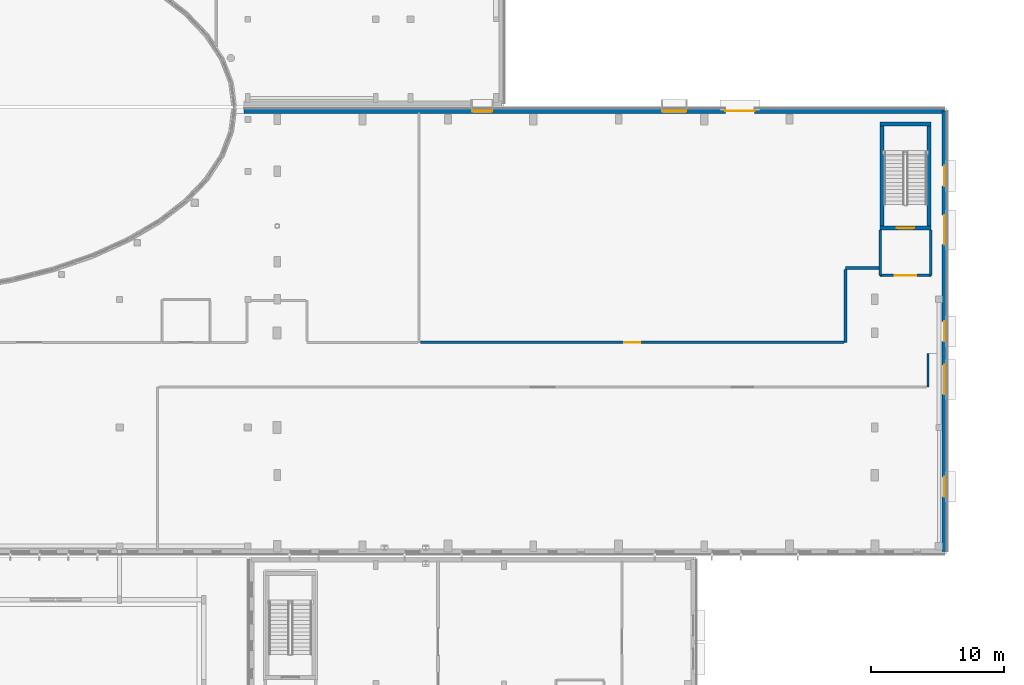
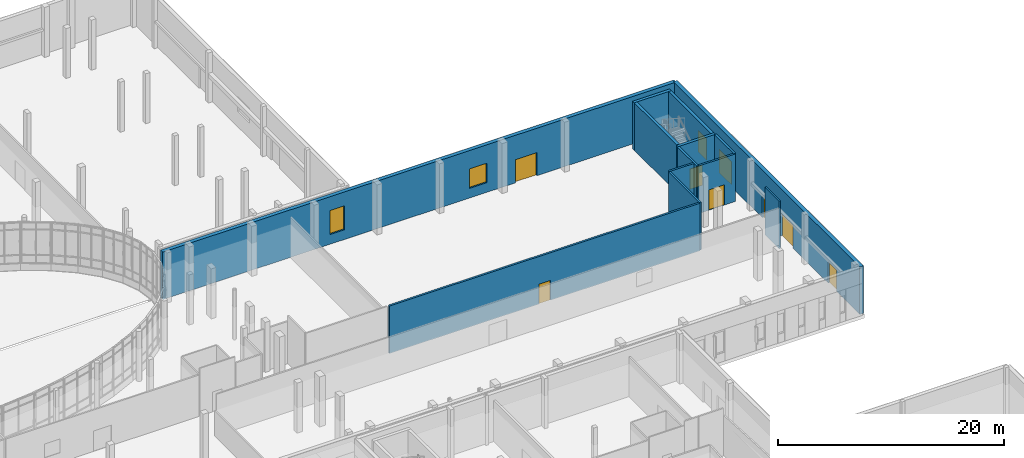
# One storey, part 51 of 84: 13 walls, 9 doors, 2 windows, 11 openings.
"""IFC4 building model written with IfcOpenShell, lengths in metres."""

from ifc_helpers import new_model, si_unit, direction, frame, frame_2d, origin, place, context, subcontext, project, spatial, rectangle, extrude, material, layer, layer_set, type_object, element, fill, save


model = new_model("IFC4")

# Units and contexts
model_context = context("Model", 3, precision=1e-05, world=origin(), true_north=direction((0.0, 1.0)))
body_context = subcontext(model_context, "Body", "Model", "MODEL_VIEW")
ifc_project = project(units=[si_unit("LENGTHUNIT", "METRE"), si_unit("AREAUNIT", "SQUARE_METRE"), si_unit("VOLUMEUNIT", "CUBIC_METRE"), si_unit("PLANEANGLEUNIT", "RADIAN"), si_unit("MASSUNIT", "GRAM", prefix="KILO")], contexts=[model_context])

# Site, building, storey
site_placement = place(None, origin())
site = spatial("IfcSite", under=ifc_project, at=site_placement, CompositionType="ELEMENT")
building_placement = place(site_placement, origin())
building = spatial("IfcBuilding", under=site, at=building_placement, Name="Mzevani Central Library", CompositionType="ELEMENT")
storey_placement = place(building_placement, origin())
storey = spatial("IfcBuildingStorey", under=building, at=storey_placement, Name="L00", CompositionType="ELEMENT", Elevation=0.0)

# Wall
ifc_material_1 = material(Name="Concrete C35/45", Category="concrete")
ifc_layer_1 = layer(ifc_material_1, 0.199951171875, Name="Compartment Wall 200")
ifc_layer_set_1 = layer_set([ifc_layer_1], Name="Concrete C35/45")
wall_type_1 = type_object("IfcWallType", Name="Compartment Wall 200", PredefinedType="STANDARD", material=ifc_layer_set_1)
wall_1_placement = place(storey_placement, frame((159.39990234375, 66.800048828125, 0.0), z_axis=(0.0, 0.0, 1.0), x_axis=(0.0, -1.0, 0.0)))
element("IfcWall", 1, at=wall_1_placement, inside=storey, type_object=wall_type_1, Name="L00 Stair Vestibule C1B Enclosure Wall 1", PredefinedType="STANDARD", context=body_context, shape_type="SweptSolid", body=[
    extrude(rectangle(XDim=3.400146484375, YDim=0.199951171875, at=frame_2d((1.7001953125, 0.0))), origin(), (0.0, 0.0, 1.0), 5.139892578125),
])

# Wall, opening, door
wall_2_placement = place(storey_placement, frame((159.39990234375, 63.39990234375, 0.0), z_axis=(0.0, 0.0, 1.0), x_axis=(1.0, 0.0, 0.0)))
wall_2 = element("IfcWall", 2, at=wall_2_placement, inside=storey, type_object=wall_type_1, Name="L00 Stair Vestibule C1B Enclosure Wall 2", PredefinedType="STANDARD", context=body_context, shape_type="SweptSolid", body=[
    extrude(rectangle(XDim=3.800048828125, YDim=0.199951171875, at=frame_2d((1.89990234375, 0.0))), origin(), (0.0, 0.0, 1.0), 5.139892578125),
])
opening_1_placement = place(wall_2_placement, frame((1.10009765625, 0.0, 0.0)))
opening_1 = element("IfcOpeningElement", 3, at=opening_1_placement, cuts=wall_2, Name="Opening FD-02", PredefinedType="OPENING", context=body_context, shape_type="SweptSolid", body=[
    extrude(rectangle(XDim=1.60009765625, YDim=2.199951171875, at=frame_2d((0.800048828125, 1.10009765625))), frame((0.0, 0.10986328125, 0.0), z_axis=(0.0, -1.0, 0.0), x_axis=(1.0, 0.0, 0.0)), (0.0, 0.0, 1.0), 0.219970703125),
])
ifc_material_2 = material(Name="Fire-rated steel door assembly", Category="steel")
door_type_1 = type_object("IfcDoorType", Name="Fire Lobby Double Door 1600x2200", OperationType="NOTDEFINED", PredefinedType="DOOR", material=ifc_material_2)
door_1_placement = place(opening_1_placement, origin())
door_1 = element("IfcDoor", 4, at=door_1_placement, inside=storey, type_object=door_type_1, Name="L00 Stair Vestibule C1B Smoke-Control Door", OperationType="DOUBLE_DOOR_SINGLE_SWING", OverallHeight=2.199951171875, OverallWidth=1.60009765625, PredefinedType="DOOR", context=body_context, shape_type="SweptSolid", body=[
    extrude(rectangle(XDim=1.60009765625, YDim=2.199951171875, at=frame_2d((0.800048828125, 1.10009765625))), frame((0.0, 0.02490234375, 0.0), z_axis=(0.0, -1.0, 0.0), x_axis=(1.0, 0.0, 0.0)), (0.0, 0.0, 1.0), 0.050048828125),
])
fill(opening_1, door_1)

# Walls
wall_3_placement = place(storey_placement, frame((163.199951171875, 63.39990234375, 0.0), z_axis=(0.0, 0.0, 1.0), x_axis=(0.0, 1.0, 0.0)))
element("IfcWall", 5, at=wall_3_placement, inside=storey, type_object=wall_type_1, Name="L00 Stair Vestibule C1B Enclosure Wall 3", PredefinedType="STANDARD", context=body_context, shape_type="SweptSolid", body=[
    extrude(rectangle(XDim=3.400146484375, YDim=0.199951171875, at=frame_2d((1.7001953125, 0.0))), origin(), (0.0, 0.0, 1.0), 5.139892578125),
])
wall_4_placement = place(storey_placement, frame((159.300048828125, 63.949951171875, 0.0), z_axis=(0.0, 0.0, 1.0), x_axis=(-1.0, 0.0, 0.0)))
element("IfcWall", 6, at=wall_4_placement, inside=storey, type_object=wall_type_1, Name="L00 V1 Partition IW-COMP (90)", PredefinedType="STANDARD", context=body_context, shape_type="SweptSolid", body=[
    extrude(rectangle(XDim=2.5, YDim=0.199951171875, at=frame_2d((1.25, 0.0))), origin(), (0.0, 0.0, 1.0), 5.139892578125),
])
wall_5_placement = place(storey_placement, frame((156.800048828125, 63.85009765625, 0.0), z_axis=(0.0, 0.0, 1.0), x_axis=(0.0, -1.0, 0.0)))
element("IfcWall", 7, at=wall_5_placement, inside=storey, type_object=wall_type_1, Name="L00 V1 Partition IW-COMP (91)", PredefinedType="STANDARD", context=body_context, shape_type="SweptSolid", body=[
    extrude(rectangle(XDim=5.47021484375, YDim=0.199951171875, at=frame_2d((2.735107421875, 0.0))), origin(), (0.0, 0.0, 1.0), 5.139892578125),
])

# Wall, opening, door
wall_6_placement = place(storey_placement, frame((156.699951171875, 58.3798828125, 0.0), z_axis=(0.0, 0.0, 1.0), x_axis=(-1.0, 0.0, 0.0)))
wall_6 = element("IfcWall", 8, at=wall_6_placement, inside=storey, type_object=wall_type_1, Name="L00 V1 Partition IW-COMP (92)", PredefinedType="STANDARD", context=body_context, shape_type="SweptSolid", body=[
    extrude(rectangle(XDim=31.760009765625, YDim=0.199951171875, at=frame_2d((15.8798828125, 0.0))), origin(), (0.0, 0.0, 1.0), 5.139892578125),
])
opening_2_placement = place(wall_6_placement, frame((15.280029296875, 0.0, 0.0)))
opening_2 = element("IfcOpeningElement", 9, at=opening_2_placement, cuts=wall_6, Name="Opening FD-05", PredefinedType="OPENING", context=body_context, shape_type="SweptSolid", body=[
    extrude(rectangle(XDim=1.199951171875, YDim=2.14990234375, at=frame_2d((0.60009765625, 1.074951171875))), frame((0.0, 0.10986328125, 0.0), z_axis=(0.0, -1.0, 0.0), x_axis=(1.0, 0.0, 0.0)), (0.0, 0.0, 1.0), 0.219970703125),
])
door_type_2 = type_object("IfcDoorType", Name="Fire Compartment Door 1200x2150", OperationType="NOTDEFINED", PredefinedType="DOOR", material=ifc_material_2)
door_2_placement = place(opening_2_placement, origin())
door_2 = element("IfcDoor", 10, at=door_2_placement, inside=storey, type_object=door_type_2, Name="L00 Fire Command and Security Control Room Door", OperationType="SINGLE_SWING_LEFT", OverallHeight=2.14990234375, OverallWidth=1.199951171875, PredefinedType="DOOR", context=body_context, shape_type="SweptSolid", body=[
    extrude(rectangle(XDim=1.199951171875, YDim=2.14990234375, at=frame_2d((0.60009765625, 1.074951171875))), frame((0.0, 0.02490234375, 0.0), z_axis=(0.0, -1.0, 0.0), x_axis=(1.0, 0.0, 0.0)), (0.0, 0.0, 1.0), 0.050048828125),
])
fill(opening_2, door_2)

ifc_material_3 = material(Name="Concrete C40/50", Category="concrete")
ifc_layer_2 = layer(ifc_material_3, 0.300048828125, Name="Core Shear Wall 300")
ifc_layer_set_2 = layer_set([ifc_layer_2], Name="Concrete C40/50")
wall_type_2 = type_object("IfcWallType", Name="Core Shear Wall 300", PredefinedType="SHEAR", material=ifc_layer_set_2)
wall_7_placement = place(storey_placement, frame((163.199951171875, 66.949951171875, 0.0), z_axis=(0.0, 0.0, 1.0), x_axis=(-1.0, 0.0, 0.0)))
wall_7 = element("IfcWall", 11, at=wall_7_placement, inside=storey, type_object=wall_type_2, Name="L00 Core C1B Reading Hall East Shear Wall (-y)", PredefinedType="SHEAR", context=body_context, shape_type="SweptSolid", body=[
    extrude(rectangle(XDim=3.800048828125, YDim=0.300048828125, at=frame_2d((1.89990234375, 0.0))), origin(), (0.0, 0.0, 1.0), 5.139892578125),
])
opening_3_placement = place(wall_7_placement, frame((1.25, 0.0, 0.0)))
opening_3 = element("IfcOpeningElement", 12, at=opening_3_placement, cuts=wall_7, Name="Opening FD-01", PredefinedType="OPENING", context=body_context, shape_type="SweptSolid", body=[
    extrude(rectangle(XDim=1.300048828125, YDim=2.199951171875, at=frame_2d((0.64990234375, 1.10009765625))), frame((0.0, 0.16015625, 0.0), z_axis=(0.0, -1.0, 0.0), x_axis=(1.0, 0.0, 0.0)), (0.0, 0.0, 1.0), 0.320068359375),
])
door_type_3 = type_object("IfcDoorType", Name="Fire Stair Door 1300x2200", OperationType="NOTDEFINED", PredefinedType="DOOR", material=ifc_material_2)
door_3_placement = place(opening_3_placement, origin())
door_3 = element("IfcDoor", 13, at=door_3_placement, inside=storey, type_object=door_type_3, Name="L00 ST-02 Protected Exit Stair Door", OperationType="SINGLE_SWING_LEFT", OverallHeight=2.199951171875, OverallWidth=1.300048828125, PredefinedType="DOOR", context=body_context, shape_type="SweptSolid", body=[
    extrude(rectangle(XDim=1.300048828125, YDim=2.199951171875, at=frame_2d((0.64990234375, 1.10009765625))), frame((0.0, 0.02490234375, 0.0), z_axis=(0.0, -1.0, 0.0), x_axis=(1.0, 0.0, 0.0)), (0.0, 0.0, 1.0), 0.050048828125),
])
fill(opening_3, door_3)

# Walls
wall_8_placement = place(storey_placement, frame((159.550048828125, 66.800048828125, 0.0), z_axis=(0.0, 0.0, 1.0), x_axis=(0.0, 1.0, 0.0)))
element("IfcWall", 14, at=wall_8_placement, inside=storey, type_object=wall_type_2, Name="L00 Core C1B Reading Hall East Shear Wall (-x)", PredefinedType="SHEAR", context=body_context, shape_type="SweptSolid", body=[
    extrude(rectangle(XDim=8.099853515625, YDim=0.300048828125, at=frame_2d((4.0498046875, 0.0))), origin(), (0.0, 0.0, 1.0), 5.139892578125),
])
wall_9_placement = place(storey_placement, frame((159.39990234375, 74.75, 0.0), z_axis=(0.0, 0.0, 1.0), x_axis=(1.0, 0.0, 0.0)))
element("IfcWall", 15, at=wall_9_placement, inside=storey, type_object=wall_type_2, Name="L00 Core C1B Reading Hall East Shear Wall (+y)", PredefinedType="SHEAR", context=body_context, shape_type="SweptSolid", body=[
    extrude(rectangle(XDim=3.800048828125, YDim=0.300048828125, at=frame_2d((1.89990234375, 0.0))), origin(), (0.0, 0.0, 1.0), 5.139892578125),
])
wall_10_placement = place(storey_placement, frame((163.050048828125, 74.89990234375, 0.0), z_axis=(0.0, 0.0, 1.0), x_axis=(0.0, -1.0, 0.0)))
element("IfcWall", 16, at=wall_10_placement, inside=storey, type_object=wall_type_2, Name="L00 Core C1B Reading Hall East Shear Wall (+x)", PredefinedType="SHEAR", context=body_context, shape_type="SweptSolid", body=[
    extrude(rectangle(XDim=8.099853515625, YDim=0.300048828125, at=frame_2d((4.0498046875, 0.0))), origin(), (0.0, 0.0, 1.0), 5.139892578125),
])

# Wall, openings, doors
ifc_material_4 = material(Name="Precast concrete C40/50", Category="concrete")
ifc_layer_3 = layer(ifc_material_4, 0.3798828125, Name="Exterior Thermal Concrete Wall 380")
ifc_layer_set_3 = layer_set([ifc_layer_3], Name="Precast concrete C40/50")
wall_type_3 = type_object("IfcWallType", Name="Exterior Thermal Concrete Wall 380", PredefinedType="STANDARD", material=ifc_layer_set_3)
wall_11_placement = place(storey_placement, frame((164.2099609375, 75.7099609375, 0.0), z_axis=(0.0, 0.0, 1.0), x_axis=(0.0, -1.0, 0.0)))
wall_11 = element("IfcWall", 17, at=wall_11_placement, inside=storey, type_object=wall_type_3, Name="L00 V1 Exterior Thermal Wall (1)", PredefinedType="STANDARD", context=body_context, shape_type="SweptSolid", body=[
    extrude(rectangle(XDim=33.02001953125, YDim=0.3798828125, at=frame_2d((16.510009765625, 0.0))), origin(), (0.0, 0.0, 1.0), 5.139892578125),
])
opening_4_placement = place(wall_11_placement, frame((15.760009765625, 0.0, 0.0)))
opening_4 = element("IfcOpeningElement", 18, at=opening_4_placement, cuts=wall_11, Name="Opening ED-01", PredefinedType="OPENING", context=body_context, shape_type="SweptSolid", body=[
    extrude(rectangle(XDim=1.5, YDim=2.300048828125, at=frame_2d((0.75, 1.14990234375))), frame((0.0, 0.199951171875, 0.0), z_axis=(0.0, -1.0, 0.0), x_axis=(1.0, 0.0, 0.0)), (0.0, 0.0, 1.0), 0.39990234375),
])
opening_5_placement = place(wall_11_placement, frame((7.796630859375, 0.0, 0.0)))
opening_5 = element("IfcOpeningElement", 19, at=opening_5_placement, cuts=wall_11, Name="Opening ED-05", PredefinedType="OPENING", context=body_context, shape_type="SweptSolid", body=[
    extrude(rectangle(XDim=2.199951171875, YDim=2.5, at=frame_2d((1.10009765625, 1.25))), frame((0.0, 0.199951171875, 0.0), z_axis=(0.0, -1.0, 0.0), x_axis=(1.0, 0.0, 0.0)), (0.0, 0.0, 1.0), 0.39990234375),
])
opening_6_placement = place(wall_11_placement, frame((19.0234375, 0.0, 0.0)))
opening_6 = element("IfcOpeningElement", 20, at=opening_6_placement, cuts=wall_11, Name="Opening ED-05", PredefinedType="OPENING", context=body_context, shape_type="SweptSolid", body=[
    extrude(rectangle(XDim=2.199951171875, YDim=2.5, at=frame_2d((1.10009765625, 1.25))), frame((0.0, 0.199951171875, 0.0), z_axis=(0.0, -1.0, 0.0), x_axis=(1.0, 0.0, 0.0)), (0.0, 0.0, 1.0), 0.39990234375),
])
opening_7_placement = place(wall_11_placement, frame((27.409912109375, 0.0, 0.0)))
opening_7 = element("IfcOpeningElement", 21, at=opening_7_placement, cuts=wall_11, Name="Opening ED-01", PredefinedType="OPENING", context=body_context, shape_type="SweptSolid", body=[
    extrude(rectangle(XDim=1.5, YDim=2.300048828125, at=frame_2d((0.75, 1.14990234375))), frame((0.0, 0.199951171875, 0.0), z_axis=(0.0, -1.0, 0.0), x_axis=(1.0, 0.0, 0.0)), (0.0, 0.0, 1.0), 0.39990234375),
])
opening_8_placement = place(wall_11_placement, frame((4.110107421875, 0.0, 0.0)))
opening_8 = element("IfcOpeningElement", 22, at=opening_8_placement, cuts=wall_11, Name="Opening ED-01", PredefinedType="OPENING", context=body_context, shape_type="SweptSolid", body=[
    extrude(rectangle(XDim=1.5, YDim=2.300048828125, at=frame_2d((0.75, 1.14990234375))), frame((0.0, 0.199951171875, 0.0), z_axis=(0.0, -1.0, 0.0), x_axis=(1.0, 0.0, 0.0)), (0.0, 0.0, 1.0), 0.39990234375),
])
ifc_material_5 = material(Name="Anodized architectural bronze")
door_type_4 = type_object("IfcDoorType", Name="Colonnade Foyer Portal 2200x2500", OperationType="NOTDEFINED", PredefinedType="DOOR", material=ifc_material_5)
door_4_placement = place(opening_5_placement, origin())
door_4 = element("IfcDoor", 23, at=door_4_placement, inside=storey, type_object=door_type_4, Name="L00 V1 Exterior Entrance / Exit Door (2)", OperationType="SINGLE_SWING_LEFT", OverallHeight=2.5, OverallWidth=2.199951171875, PredefinedType="DOOR", context=body_context, shape_type="SweptSolid", body=[
    extrude(rectangle(XDim=2.199951171875, YDim=2.5, at=frame_2d((1.10009765625, 1.25))), frame((0.0, 0.02490234375, 0.0), z_axis=(0.0, -1.0, 0.0), x_axis=(1.0, 0.0, 0.0)), (0.0, 0.0, 1.0), 0.050048828125),
])
fill(opening_5, door_4)
door_5_placement = place(opening_6_placement, origin())
door_5 = element("IfcDoor", 24, at=door_5_placement, inside=storey, type_object=door_type_4, Name="L00 V1 Exterior Entrance / Exit Door (3)", OperationType="SINGLE_SWING_RIGHT", OverallHeight=2.5, OverallWidth=2.199951171875, PredefinedType="DOOR", context=body_context, shape_type="SweptSolid", body=[
    extrude(rectangle(XDim=2.199951171875, YDim=2.5, at=frame_2d((1.10009765625, 1.25))), frame((0.0, 0.02490234375, 0.0), z_axis=(0.0, -1.0, 0.0), x_axis=(1.0, 0.0, 0.0)), (0.0, 0.0, 1.0), 0.050048828125),
])
fill(opening_6, door_5)
door_type_5 = type_object("IfcDoorType", Name="Exterior Final Exit Door 1500x2300", OperationType="NOTDEFINED", PredefinedType="DOOR", material=ifc_material_5)
door_6_placement = place(opening_4_placement, origin())
door_6 = element("IfcDoor", 25, at=door_6_placement, inside=storey, type_object=door_type_5, Name="L00 V1 Protected Exit Corridor Final Discharge Door", OperationType="SINGLE_SWING_RIGHT", OverallHeight=2.300048828125, OverallWidth=1.5, PredefinedType="DOOR", context=body_context, shape_type="SweptSolid", body=[
    extrude(rectangle(XDim=1.5, YDim=2.300048828125, at=frame_2d((0.75, 1.14990234375))), frame((0.0, 0.02490234375, 0.0), z_axis=(0.0, -1.0, 0.0), x_axis=(1.0, 0.0, 0.0)), (0.0, 0.0, 1.0), 0.050048828125),
])
fill(opening_4, door_6)
door_7_placement = place(opening_7_placement, origin())
door_7 = element("IfcDoor", 26, at=door_7_placement, inside=storey, type_object=door_type_5, Name="L00 ST-01 Final Grade Exit Discharge Door", OperationType="SINGLE_SWING_RIGHT", OverallHeight=2.300048828125, OverallWidth=1.5, PredefinedType="DOOR", context=body_context, shape_type="SweptSolid", body=[
    extrude(rectangle(XDim=1.5, YDim=2.300048828125, at=frame_2d((0.75, 1.14990234375))), frame((0.0, 0.02490234375, 0.0), z_axis=(0.0, -1.0, 0.0), x_axis=(1.0, 0.0, 0.0)), (0.0, 0.0, 1.0), 0.050048828125),
])
fill(opening_7, door_7)
door_8_placement = place(opening_8_placement, origin())
door_8 = element("IfcDoor", 27, at=door_8_placement, inside=storey, type_object=door_type_5, Name="L00 ST-02 Final Grade Exit Discharge Door", OperationType="SINGLE_SWING_LEFT", OverallHeight=2.300048828125, OverallWidth=1.5, PredefinedType="DOOR", context=body_context, shape_type="SweptSolid", body=[
    extrude(rectangle(XDim=1.5, YDim=2.300048828125, at=frame_2d((0.75, 1.14990234375))), frame((0.0, 0.02490234375, 0.0), z_axis=(0.0, -1.0, 0.0), x_axis=(1.0, 0.0, 0.0)), (0.0, 0.0, 1.0), 0.050048828125),
])
fill(opening_8, door_8)

# Wall, openings, door, windows
wall_12_placement = place(storey_placement, frame((111.720703125, 75.7099609375, 0.0), z_axis=(0.0, 0.0, 1.0), x_axis=(1.0, 0.0, 0.0)))
wall_12 = element("IfcWall", 28, at=wall_12_placement, inside=storey, type_object=wall_type_3, Name="L00 V1 Exterior Thermal Wall (5)", PredefinedType="STANDARD", context=body_context, shape_type="SweptSolid", body=[
    extrude(rectangle(XDim=52.4892578125, YDim=0.3798828125, at=frame_2d((26.24462890625, 0.0))), origin(), (0.0, 0.0, 1.0), 5.139892578125),
])
opening_9_placement = place(wall_12_placement, frame((36.06787109375, 0.0, 0.0)))
opening_9 = element("IfcOpeningElement", 29, at=opening_9_placement, cuts=wall_12, Name="Opening ED-05", PredefinedType="OPENING", context=body_context, shape_type="SweptSolid", body=[
    extrude(rectangle(XDim=2.199951171875, YDim=2.5, at=frame_2d((1.10009765625, 1.25))), frame((0.0, 0.199951171875, 0.0), z_axis=(0.0, -1.0, 0.0), x_axis=(1.0, 0.0, 0.0)), (0.0, 0.0, 1.0), 0.39990234375),
])
opening_10_placement = place(wall_12_placement, frame((17.09619140625, 0.0, 1.050048828125)))
opening_10 = element("IfcOpeningElement", 30, at=opening_10_placement, cuts=wall_12, Name="Opening W-12", PredefinedType="OPENING", context=body_context, shape_type="SweptSolid", body=[
    extrude(rectangle(XDim=1.5, YDim=2.60009765625, at=frame_2d((0.75, 1.300048828125))), frame((0.0, 0.199951171875, 0.0), z_axis=(0.0, -1.0, 0.0), x_axis=(1.0, 0.0, 0.0)), (0.0, 0.0, 1.0), 0.39990234375),
])
opening_11_placement = place(wall_12_placement, frame((31.343017578125, 0.0, 1.050048828125)))
opening_11 = element("IfcOpeningElement", 31, at=opening_11_placement, cuts=wall_12, Name="Opening W-14", PredefinedType="OPENING", context=body_context, shape_type="SweptSolid", body=[
    extrude(rectangle(XDim=1.800048828125, YDim=2.10009765625, at=frame_2d((0.89990234375, 1.050048828125))), frame((0.0, 0.199951171875, 0.0), z_axis=(0.0, -1.0, 0.0), x_axis=(1.0, 0.0, 0.0)), (0.0, 0.0, 1.0), 0.39990234375),
])
door_9_placement = place(opening_9_placement, origin())
door_9 = element("IfcDoor", 32, at=door_9_placement, inside=storey, type_object=door_type_4, Name="L00 V1 Exterior Entrance / Exit Door (5)", OperationType="SINGLE_SWING_RIGHT", OverallHeight=2.5, OverallWidth=2.199951171875, PredefinedType="DOOR", context=body_context, shape_type="SweptSolid", body=[
    extrude(rectangle(XDim=2.199951171875, YDim=2.5, at=frame_2d((1.10009765625, 1.25))), frame((0.0, 0.02490234375, 0.0), z_axis=(0.0, -1.0, 0.0), x_axis=(1.0, 0.0, 0.0)), (0.0, 0.0, 1.0), 0.050048828125),
])
fill(opening_9, door_9)
ifc_material_6 = material(Name="Low-E triple glazing glass", Category="glass")
window_type_1 = type_object("IfcWindowType", Name="Deep Reveal Window 1500x2600", PartitioningType="SINGLE_PANEL", PredefinedType="WINDOW", material=ifc_material_6)
window_1_placement = place(opening_10_placement, origin())
window_1 = element("IfcWindow", 33, at=window_1_placement, inside=storey, type_object=window_type_1, Name="L00 V1 Deep-Reveal Window W-12 (40)", OverallHeight=2.60009765625, OverallWidth=1.5, PartitioningType="SINGLE_PANEL", PredefinedType="WINDOW", context=body_context, shape_type="SweptSolid", body=[
    extrude(rectangle(XDim=1.5, YDim=2.60009765625, at=frame_2d((0.75, 1.300048828125))), frame((0.0, 0.030029296875, 0.0), z_axis=(0.0, -1.0, 0.0), x_axis=(1.0, 0.0, 0.0)), (0.0, 0.0, 1.0), 0.06005859375),
])
fill(opening_10, window_1)
window_type_2 = type_object("IfcWindowType", Name="Deep Reveal Window 1800x2100", PartitioningType="SINGLE_PANEL", PredefinedType="WINDOW", material=ifc_material_6)
window_2_placement = place(opening_11_placement, origin())
window_2 = element("IfcWindow", 34, at=window_2_placement, inside=storey, type_object=window_type_2, Name="L00 V1 Deep-Reveal Window W-14 (41)", OverallHeight=2.10009765625, OverallWidth=1.800048828125, PartitioningType="SINGLE_PANEL", PredefinedType="WINDOW", context=body_context, shape_type="SweptSolid", body=[
    extrude(rectangle(XDim=1.800048828125, YDim=2.10009765625, at=frame_2d((0.89990234375, 1.050048828125))), frame((0.0, 0.030029296875, 0.0), z_axis=(0.0, -1.0, 0.0), x_axis=(1.0, 0.0, 0.0)), (0.0, 0.0, 1.0), 0.06005859375),
])
fill(opening_11, window_2)

# Wall
ifc_material_7 = material(Name="Fire-rated gypsum board", Category="gypsum")
ifc_layer_4 = layer(ifc_material_7, 0.14990234375, Name="Partition Study 150")
ifc_layer_set_4 = layer_set([ifc_layer_4], Name="Fire-rated gypsum board")
wall_type_4 = type_object("IfcWallType", Name="Partition Study 150", PredefinedType="PARTITIONING", material=ifc_layer_set_4)
wall_13_placement = place(storey_placement, frame((162.97998046875, 55.02001953125, 0.0), z_axis=(0.0, 0.0, 1.0), x_axis=(0.0, 1.0, 0.0)))
element("IfcWall", 35, at=wall_13_placement, inside=storey, type_object=wall_type_4, Name="L00 V1 Partition IW-03 (75)", PredefinedType="PARTITIONING", context=body_context, shape_type="SweptSolid", body=[
    extrude(rectangle(XDim=2.530029296875, YDim=0.14990234375, at=frame_2d((1.26513671875, 0.0))), origin(), (0.0, 0.0, 1.0), 5.139892578125),
])

save(model, "model.ifc")
